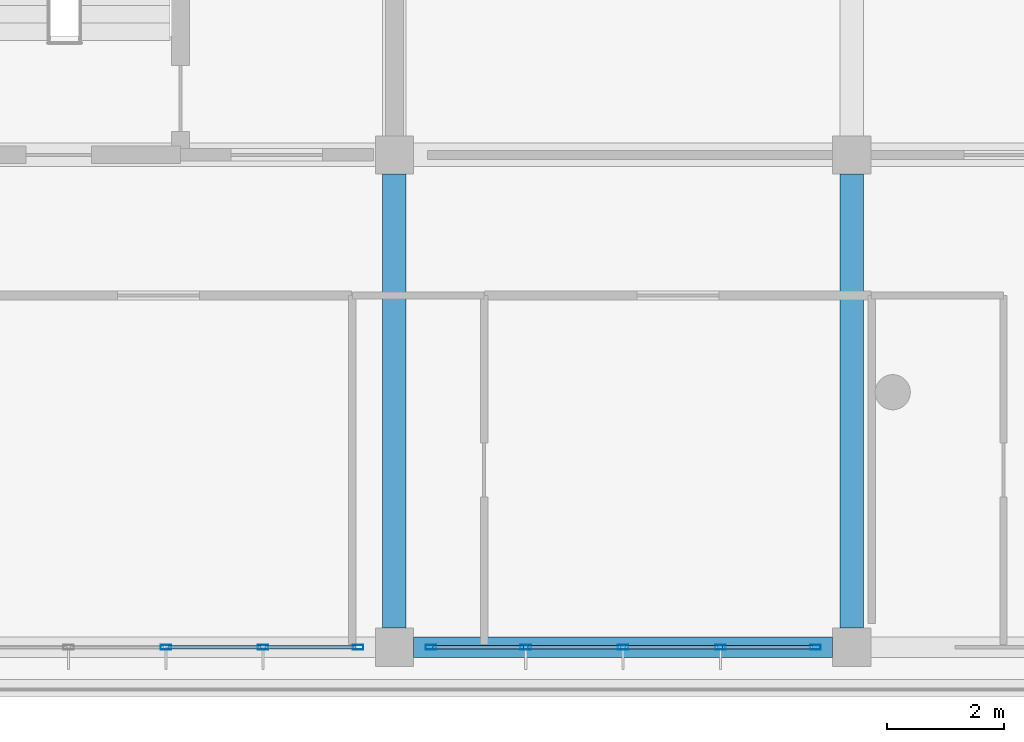
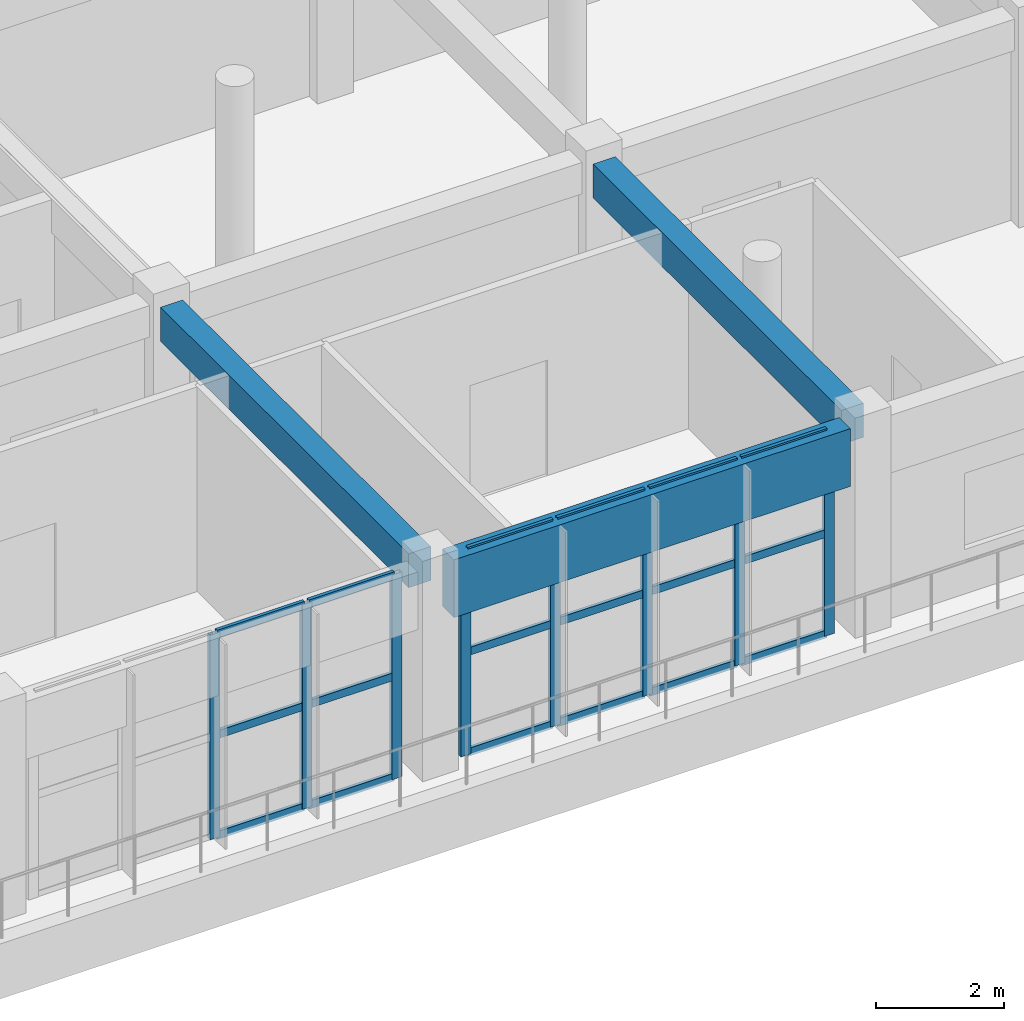
# One storey, part 23 of 57: 26 members, 3 beams, 2 elements without a shape of their own.
"""IFC4 building model written with IfcOpenShell, lengths in metres."""

from ifc_helpers import new_model, si_unit, direction, frame, origin, origin_2d, place, context, subcontext, project, spatial, rectangle, hollow_rectangle, extrude, material, layer, layer_set, material_profile, profile_set, type_object, element, aggregate, save


model = new_model("IFC4")

# Units and contexts
model_context = context("Model", 3, precision=1e-05, world=origin(), true_north=direction((0.0, 1.0)))
body_context = subcontext(model_context, "Body", "Model", "MODEL_VIEW")
ifc_project = project(units=[si_unit("LENGTHUNIT", "METRE"), si_unit("AREAUNIT", "SQUARE_METRE"), si_unit("VOLUMEUNIT", "CUBIC_METRE"), si_unit("PLANEANGLEUNIT", "RADIAN"), si_unit("MASSUNIT", "GRAM", prefix="KILO")], contexts=[model_context])

# Site, building, storey
site_placement = place(None, origin())
site = spatial("IfcSite", under=ifc_project, at=site_placement, CompositionType="ELEMENT")
building_placement = place(site_placement, origin())
building = spatial("IfcBuilding", under=site, at=building_placement, Name="Zizhar Promenade General Hospital", CompositionType="ELEMENT")
storey_placement = place(building_placement, frame((0.0, 0.0, 22.199951171875)))
storey = spatial("IfcBuildingStorey", under=building, at=storey_placement, Name="L05", CompositionType="ELEMENT", Elevation=22.199951171875)

# Beams
ifc_material_1 = material(Name="Precast concrete C40/50", Category="concrete")
ifc_material_profile_1 = material_profile(ifc_material_1, rectangle(XDim=0.35009765625, YDim=1.10009765625, at=origin_2d()))
ifc_profile_set_1 = profile_set([ifc_material_profile_1], Name="Precast concrete C40/50")
beam_type_1 = type_object("IfcBeamType", Name="BM-PC-BAND1100", PredefinedType="SPANDREL", material=ifc_profile_set_1)
beam_placement = place(storey_placement, frame((101.72509765625, 0.0, 3.360107421875), z_axis=(1.0, 0.0, 0.0), x_axis=(0.0, 1.0, 0.0)))
element("IfcBeam", 1, at=beam_placement, inside=storey, type_object=beam_type_1, Name="Grid Beam X L05 (13-0)", PredefinedType="SPANDREL", context=body_context, shape_type="SweptSolid", body=[
    extrude(rectangle(XDim=0.35009765625, YDim=1.10009765625, at=origin_2d()), origin(), (0.0, 0.0, 1.0), 7.14990234375),
])
ifc_material_2 = material(Name="Concrete C35/45", Category="concrete")
ifc_material_profile_2 = material_profile(ifc_material_2, rectangle(XDim=0.39990234375, YDim=0.64990234375, at=origin_2d()))
ifc_profile_set_2 = profile_set([ifc_material_profile_2], Name="Concrete C35/45")
beam_type_2 = type_object("IfcBeamType", Name="BM-RC-400x650", PredefinedType="BEAM", material=ifc_profile_set_2)
for number, where, z_axis, x_axis, name in (
    (2, (101.39990234375, 0.324951171875, 3.5849609375), (0.0, 1.0, 0.0), (-1.0, 0.0, 0.0), "Grid Beam Y L05 (13-0)"),
    (3, (109.199951171875, 0.324951171875, 3.5849609375), (0.0, 1.0, 0.0), (-1.0, 0.0, 0.0), "Grid Beam Y L05 (14-0)"),
):
    element("IfcBeam", number, at=place(storey_placement, frame(where, z_axis=z_axis, x_axis=x_axis)), inside=storey, type_object=beam_type_2, Name=name, PredefinedType="BEAM", context=body_context, shape_type="SweptSolid", body=[
        extrude(rectangle(XDim=0.39990234375, YDim=0.64990234375, at=origin_2d()), origin(), (0.0, 0.0, 1.0), 7.75),
    ])

# Curtain wall, members
ifc_material_3 = material(Name="Anodised aluminium 6063-T6 and low-E glass", Category="aluminium")
ifc_layer = layer(ifc_material_3, 0.159912109375)
ifc_layer_set = layer_set([ifc_layer], Name="Anodised aluminium 6063-T6 and low-E glass")
curtain_wall_type = type_object("IfcCurtainWallType", Name="CW-WARD-RIB", PredefinedType="NOTDEFINED", material=ifc_layer_set)
curtain_wall_1_placement = place(storey_placement, origin())
curtain_wall_1 = element("IfcCurtainWall", 4, at=curtain_wall_1_placement, inside=storey, type_object=curtain_wall_type, Name="Ward Ribbon Curtain Wall L05-17-1", PredefinedType="NOTDEFINED")
ifc_material_4 = material(Name="Anodised aluminium 6063-T6", Category="aluminium")
ifc_material_profile_3 = material_profile(ifc_material_4, hollow_rectangle(XDim=0.080078125, YDim=0.179931640625, WallThickness=0.0048828125, at=origin_2d()))
ifc_profile_set_3 = profile_set([ifc_material_profile_3], Name="Anodised aluminium 6063-T6")
member_type_1 = type_object("IfcMemberType", Name="CWM-ALU-180x80", PredefinedType="MULLION", material=ifc_profile_set_3)
member_1_placement = place(storey_placement, frame((108.580078125, 0.0, 0.0), z_axis=(0.0, 0.0, 1.0), x_axis=(0.0, -1.0, 0.0)))
member_1 = element("IfcMember", 5, at=member_1_placement, type_object=member_type_1, Name="CW-13 mullion 1", PredefinedType="MULLION", context=body_context, shape_type="SweptSolid", body=[
    extrude(hollow_rectangle(XDim=0.080078125, YDim=0.179931640625, WallThickness=0.0048828125, at=origin_2d()), origin(), (0.0, 0.0, 1.0), 3.900146484375),
])
member_2_placement = place(storey_placement, frame((106.9599609375, 0.0, 0.0), z_axis=(0.0, 0.0, 1.0), x_axis=(0.0, -1.0, 0.0)))
member_2 = element("IfcMember", 6, at=member_2_placement, type_object=member_type_1, Name="CW-13 mullion 2", PredefinedType="MULLION", context=body_context, shape_type="SweptSolid", body=[
    extrude(hollow_rectangle(XDim=0.080078125, YDim=0.179931640625, WallThickness=0.0048828125, at=origin_2d()), origin(), (0.0, 0.0, 1.0), 3.900146484375),
])
member_3_placement = place(storey_placement, frame((105.300048828125, 0.0, 0.0), z_axis=(0.0, 0.0, 1.0), x_axis=(0.0, -1.0, 0.0)))
member_3 = element("IfcMember", 7, at=member_3_placement, type_object=member_type_1, Name="CW-13 mullion 3", PredefinedType="MULLION", context=body_context, shape_type="SweptSolid", body=[
    extrude(hollow_rectangle(XDim=0.080078125, YDim=0.179931640625, WallThickness=0.0048828125, at=origin_2d()), origin(), (0.0, 0.0, 1.0), 3.900146484375),
])
member_4_placement = place(storey_placement, frame((103.639892578125, 0.0, 0.0), z_axis=(0.0, 0.0, 1.0), x_axis=(0.0, -1.0, 0.0)))
member_4 = element("IfcMember", 8, at=member_4_placement, type_object=member_type_1, Name="CW-13 mullion 4", PredefinedType="MULLION", context=body_context, shape_type="SweptSolid", body=[
    extrude(hollow_rectangle(XDim=0.080078125, YDim=0.179931640625, WallThickness=0.0048828125, at=origin_2d()), origin(), (0.0, 0.0, 1.0), 3.900146484375),
])
member_5_placement = place(storey_placement, frame((102.02001953125, 0.0, 0.0), z_axis=(0.0, 0.0, 1.0), x_axis=(0.0, -1.0, 0.0)))
member_5 = element("IfcMember", 9, at=member_5_placement, type_object=member_type_1, Name="CW-13 mullion 5", PredefinedType="MULLION", context=body_context, shape_type="SweptSolid", body=[
    extrude(hollow_rectangle(XDim=0.080078125, YDim=0.179931640625, WallThickness=0.0048828125, at=origin_2d()), origin(), (0.0, 0.0, 1.0), 3.900146484375),
])

curtain_wall_2_placement = place(storey_placement, origin())
curtain_wall_2 = element("IfcCurtainWall", 10, at=curtain_wall_2_placement, inside=storey, type_object=curtain_wall_type, Name="Ward Ribbon Curtain Wall L05-17-2", PredefinedType="NOTDEFINED")
member_6_placement = place(storey_placement, frame((100.780029296875, 0.0, 0.0), z_axis=(0.0, 0.0, 1.0), x_axis=(0.0, -1.0, 0.0)))
member_6 = element("IfcMember", 11, at=member_6_placement, type_object=member_type_1, Name="CW-13 mullion 1", PredefinedType="MULLION", context=body_context, shape_type="SweptSolid", body=[
    extrude(hollow_rectangle(XDim=0.080078125, YDim=0.179931640625, WallThickness=0.0048828125, at=origin_2d()), origin(), (0.0, 0.0, 1.0), 3.900146484375),
])
member_7_placement = place(storey_placement, frame((99.159912109375, 0.0, 0.0), z_axis=(0.0, 0.0, 1.0), x_axis=(0.0, -1.0, 0.0)))
member_7 = element("IfcMember", 12, at=member_7_placement, type_object=member_type_1, Name="CW-13 mullion 2", PredefinedType="MULLION", context=body_context, shape_type="SweptSolid", body=[
    extrude(hollow_rectangle(XDim=0.080078125, YDim=0.179931640625, WallThickness=0.0048828125, at=origin_2d()), origin(), (0.0, 0.0, 1.0), 3.900146484375),
])
member_8_placement = place(storey_placement, frame((97.5, 0.0, 0.0), z_axis=(0.0, 0.0, 1.0), x_axis=(0.0, -1.0, 0.0)))
member_8 = element("IfcMember", 13, at=member_8_placement, type_object=member_type_1, Name="CW-13 mullion 3", PredefinedType="MULLION", context=body_context, shape_type="SweptSolid", body=[
    extrude(hollow_rectangle(XDim=0.080078125, YDim=0.179931640625, WallThickness=0.0048828125, at=origin_2d()), origin(), (0.0, 0.0, 1.0), 3.900146484375),
])

# Member
ifc_material_5 = material(Name="Anodised aluminium 6063-T6", Category="aluminium")
ifc_material_profile_4 = material_profile(ifc_material_5, hollow_rectangle(XDim=0.06005859375, YDim=0.14990234375, WallThickness=0.00390625, at=origin_2d()))
ifc_profile_set_4 = profile_set([ifc_material_profile_4], Name="Anodised aluminium 6063-T6")
member_type_2 = type_object("IfcMemberType", Name="CWT-ALU-150x60", PredefinedType="USERDEFINED", material=ifc_profile_set_4)
member_9_placement = place(storey_placement, frame((108.5400390625, 0.0, 0.030029296875), z_axis=(-1.0, 0.0, 0.0), x_axis=(0.0, -1.0, 0.0)))
member_9 = element("IfcMember", 14, at=member_9_placement, type_object=member_type_2, Name="CW-13 transom 1.1", ObjectType="TRANSOM", PredefinedType="USERDEFINED", context=body_context, shape_type="SweptSolid", body=[
    extrude(hollow_rectangle(XDim=0.06005859375, YDim=0.14990234375, WallThickness=0.00390625, at=origin_2d()), origin(), (0.0, 0.0, 1.0), 1.5400390625),
])

member_10_placement = place(storey_placement, frame((108.5400390625, 0.0, 1.949951171875), z_axis=(-1.0, 0.0, 0.0), x_axis=(0.0, -1.0, 0.0)))
member_10 = element("IfcMember", 15, at=member_10_placement, type_object=member_type_2, Name="CW-13 transom 1.2", ObjectType="TRANSOM", PredefinedType="USERDEFINED", context=body_context, shape_type="SweptSolid", body=[
    extrude(hollow_rectangle(XDim=0.06005859375, YDim=0.14990234375, WallThickness=0.00390625, at=origin_2d()), origin(), (0.0, 0.0, 1.0), 1.5400390625),
])

member_11_placement = place(storey_placement, frame((108.5400390625, 0.0, 3.8701171875), z_axis=(-1.0, 0.0, 0.0), x_axis=(0.0, -1.0, 0.0)))
member_11 = element("IfcMember", 16, at=member_11_placement, type_object=member_type_2, Name="CW-13 transom 1.3", ObjectType="TRANSOM", PredefinedType="USERDEFINED", context=body_context, shape_type="SweptSolid", body=[
    extrude(hollow_rectangle(XDim=0.06005859375, YDim=0.14990234375, WallThickness=0.00390625, at=origin_2d()), origin(), (0.0, 0.0, 1.0), 1.5400390625),
])

member_12_placement = place(storey_placement, frame((106.919921875, 0.0, 0.030029296875), z_axis=(-1.0, 0.0, 0.0), x_axis=(0.0, -1.0, 0.0)))
member_12 = element("IfcMember", 17, at=member_12_placement, type_object=member_type_2, Name="CW-13 transom 2.1", ObjectType="TRANSOM", PredefinedType="USERDEFINED", context=body_context, shape_type="SweptSolid", body=[
    extrude(hollow_rectangle(XDim=0.06005859375, YDim=0.14990234375, WallThickness=0.00390625, at=origin_2d()), origin(), (0.0, 0.0, 1.0), 1.579833984375),
])

member_13_placement = place(storey_placement, frame((106.919921875, 0.0, 1.949951171875), z_axis=(-1.0, 0.0, 0.0), x_axis=(0.0, -1.0, 0.0)))
member_13 = element("IfcMember", 18, at=member_13_placement, type_object=member_type_2, Name="CW-13 transom 2.2", ObjectType="TRANSOM", PredefinedType="USERDEFINED", context=body_context, shape_type="SweptSolid", body=[
    extrude(hollow_rectangle(XDim=0.06005859375, YDim=0.14990234375, WallThickness=0.00390625, at=origin_2d()), origin(), (0.0, 0.0, 1.0), 1.579833984375),
])

member_14_placement = place(storey_placement, frame((106.919921875, 0.0, 3.8701171875), z_axis=(-1.0, 0.0, 0.0), x_axis=(0.0, -1.0, 0.0)))
member_14 = element("IfcMember", 19, at=member_14_placement, type_object=member_type_2, Name="CW-13 transom 2.3", ObjectType="TRANSOM", PredefinedType="USERDEFINED", context=body_context, shape_type="SweptSolid", body=[
    extrude(hollow_rectangle(XDim=0.06005859375, YDim=0.14990234375, WallThickness=0.00390625, at=origin_2d()), origin(), (0.0, 0.0, 1.0), 1.579833984375),
])

member_15_placement = place(storey_placement, frame((105.260009765625, 0.0, 0.030029296875), z_axis=(-1.0, 0.0, 0.0), x_axis=(0.0, -1.0, 0.0)))
member_15 = element("IfcMember", 20, at=member_15_placement, type_object=member_type_2, Name="CW-13 transom 3.1", ObjectType="TRANSOM", PredefinedType="USERDEFINED", context=body_context, shape_type="SweptSolid", body=[
    extrude(hollow_rectangle(XDim=0.06005859375, YDim=0.14990234375, WallThickness=0.00390625, at=origin_2d()), origin(), (0.0, 0.0, 1.0), 1.580078125),
])

member_16_placement = place(storey_placement, frame((105.260009765625, 0.0, 1.949951171875), z_axis=(-1.0, 0.0, 0.0), x_axis=(0.0, -1.0, 0.0)))
member_16 = element("IfcMember", 21, at=member_16_placement, type_object=member_type_2, Name="CW-13 transom 3.2", ObjectType="TRANSOM", PredefinedType="USERDEFINED", context=body_context, shape_type="SweptSolid", body=[
    extrude(hollow_rectangle(XDim=0.06005859375, YDim=0.14990234375, WallThickness=0.00390625, at=origin_2d()), origin(), (0.0, 0.0, 1.0), 1.580078125),
])

member_17_placement = place(storey_placement, frame((105.260009765625, 0.0, 3.8701171875), z_axis=(-1.0, 0.0, 0.0), x_axis=(0.0, -1.0, 0.0)))
member_17 = element("IfcMember", 22, at=member_17_placement, type_object=member_type_2, Name="CW-13 transom 3.3", ObjectType="TRANSOM", PredefinedType="USERDEFINED", context=body_context, shape_type="SweptSolid", body=[
    extrude(hollow_rectangle(XDim=0.06005859375, YDim=0.14990234375, WallThickness=0.00390625, at=origin_2d()), origin(), (0.0, 0.0, 1.0), 1.580078125),
])

member_18_placement = place(storey_placement, frame((103.60009765625, 0.0, 0.030029296875), z_axis=(-1.0, 0.0, 0.0), x_axis=(0.0, -1.0, 0.0)))
member_18 = element("IfcMember", 23, at=member_18_placement, type_object=member_type_2, Name="CW-13 transom 4.1", ObjectType="TRANSOM", PredefinedType="USERDEFINED", context=body_context, shape_type="SweptSolid", body=[
    extrude(hollow_rectangle(XDim=0.06005859375, YDim=0.14990234375, WallThickness=0.00390625, at=origin_2d()), origin(), (0.0, 0.0, 1.0), 1.5400390625),
])

member_19_placement = place(storey_placement, frame((103.60009765625, 0.0, 1.949951171875), z_axis=(-1.0, 0.0, 0.0), x_axis=(0.0, -1.0, 0.0)))
member_19 = element("IfcMember", 24, at=member_19_placement, type_object=member_type_2, Name="CW-13 transom 4.2", ObjectType="TRANSOM", PredefinedType="USERDEFINED", context=body_context, shape_type="SweptSolid", body=[
    extrude(hollow_rectangle(XDim=0.06005859375, YDim=0.14990234375, WallThickness=0.00390625, at=origin_2d()), origin(), (0.0, 0.0, 1.0), 1.5400390625),
])

member_20_placement = place(storey_placement, frame((103.60009765625, 0.0, 3.8701171875), z_axis=(-1.0, 0.0, 0.0), x_axis=(0.0, -1.0, 0.0)))
member_20 = element("IfcMember", 25, at=member_20_placement, type_object=member_type_2, Name="CW-13 transom 4.3", ObjectType="TRANSOM", PredefinedType="USERDEFINED", context=body_context, shape_type="SweptSolid", body=[
    extrude(hollow_rectangle(XDim=0.06005859375, YDim=0.14990234375, WallThickness=0.00390625, at=origin_2d()), origin(), (0.0, 0.0, 1.0), 1.5400390625),
])

aggregate(curtain_wall_1, [member_1, member_2, member_3, member_4, member_5, member_9, member_10, member_11, member_12, member_13, member_14, member_15, member_16, member_17, member_18, member_19, member_20])

member_21_placement = place(storey_placement, frame((100.739990234375, 0.0, 0.030029296875), z_axis=(-1.0, 0.0, 0.0), x_axis=(0.0, -1.0, 0.0)))
member_21 = element("IfcMember", 26, at=member_21_placement, type_object=member_type_2, Name="CW-13 transom 1.1", ObjectType="TRANSOM", PredefinedType="USERDEFINED", context=body_context, shape_type="SweptSolid", body=[
    extrude(hollow_rectangle(XDim=0.06005859375, YDim=0.14990234375, WallThickness=0.00390625, at=origin_2d()), origin(), (0.0, 0.0, 1.0), 1.5400390625),
])

member_22_placement = place(storey_placement, frame((100.739990234375, 0.0, 1.949951171875), z_axis=(-1.0, 0.0, 0.0), x_axis=(0.0, -1.0, 0.0)))
member_22 = element("IfcMember", 27, at=member_22_placement, type_object=member_type_2, Name="CW-13 transom 1.2", ObjectType="TRANSOM", PredefinedType="USERDEFINED", context=body_context, shape_type="SweptSolid", body=[
    extrude(hollow_rectangle(XDim=0.06005859375, YDim=0.14990234375, WallThickness=0.00390625, at=origin_2d()), origin(), (0.0, 0.0, 1.0), 1.5400390625),
])

member_23_placement = place(storey_placement, frame((100.739990234375, 0.0, 3.8701171875), z_axis=(-1.0, 0.0, 0.0), x_axis=(0.0, -1.0, 0.0)))
member_23 = element("IfcMember", 28, at=member_23_placement, type_object=member_type_2, Name="CW-13 transom 1.3", ObjectType="TRANSOM", PredefinedType="USERDEFINED", context=body_context, shape_type="SweptSolid", body=[
    extrude(hollow_rectangle(XDim=0.06005859375, YDim=0.14990234375, WallThickness=0.00390625, at=origin_2d()), origin(), (0.0, 0.0, 1.0), 1.5400390625),
])

member_24_placement = place(storey_placement, frame((99.1201171875, 0.0, 0.030029296875), z_axis=(-1.0, 0.0, 0.0), x_axis=(0.0, -1.0, 0.0)))
member_24 = element("IfcMember", 29, at=member_24_placement, type_object=member_type_2, Name="CW-13 transom 2.1", ObjectType="TRANSOM", PredefinedType="USERDEFINED", context=body_context, shape_type="SweptSolid", body=[
    extrude(hollow_rectangle(XDim=0.06005859375, YDim=0.14990234375, WallThickness=0.00390625, at=origin_2d()), origin(), (0.0, 0.0, 1.0), 1.580078125),
])

member_25_placement = place(storey_placement, frame((99.1201171875, 0.0, 1.949951171875), z_axis=(-1.0, 0.0, 0.0), x_axis=(0.0, -1.0, 0.0)))
member_25 = element("IfcMember", 30, at=member_25_placement, type_object=member_type_2, Name="CW-13 transom 2.2", ObjectType="TRANSOM", PredefinedType="USERDEFINED", context=body_context, shape_type="SweptSolid", body=[
    extrude(hollow_rectangle(XDim=0.06005859375, YDim=0.14990234375, WallThickness=0.00390625, at=origin_2d()), origin(), (0.0, 0.0, 1.0), 1.580078125),
])

member_26_placement = place(storey_placement, frame((99.1201171875, 0.0, 3.8701171875), z_axis=(-1.0, 0.0, 0.0), x_axis=(0.0, -1.0, 0.0)))
member_26 = element("IfcMember", 31, at=member_26_placement, type_object=member_type_2, Name="CW-13 transom 2.3", ObjectType="TRANSOM", PredefinedType="USERDEFINED", context=body_context, shape_type="SweptSolid", body=[
    extrude(hollow_rectangle(XDim=0.06005859375, YDim=0.14990234375, WallThickness=0.00390625, at=origin_2d()), origin(), (0.0, 0.0, 1.0), 1.580078125),
])

aggregate(curtain_wall_2, [member_6, member_7, member_8, member_21, member_22, member_23, member_24, member_25, member_26])

save(model, "model.ifc")
